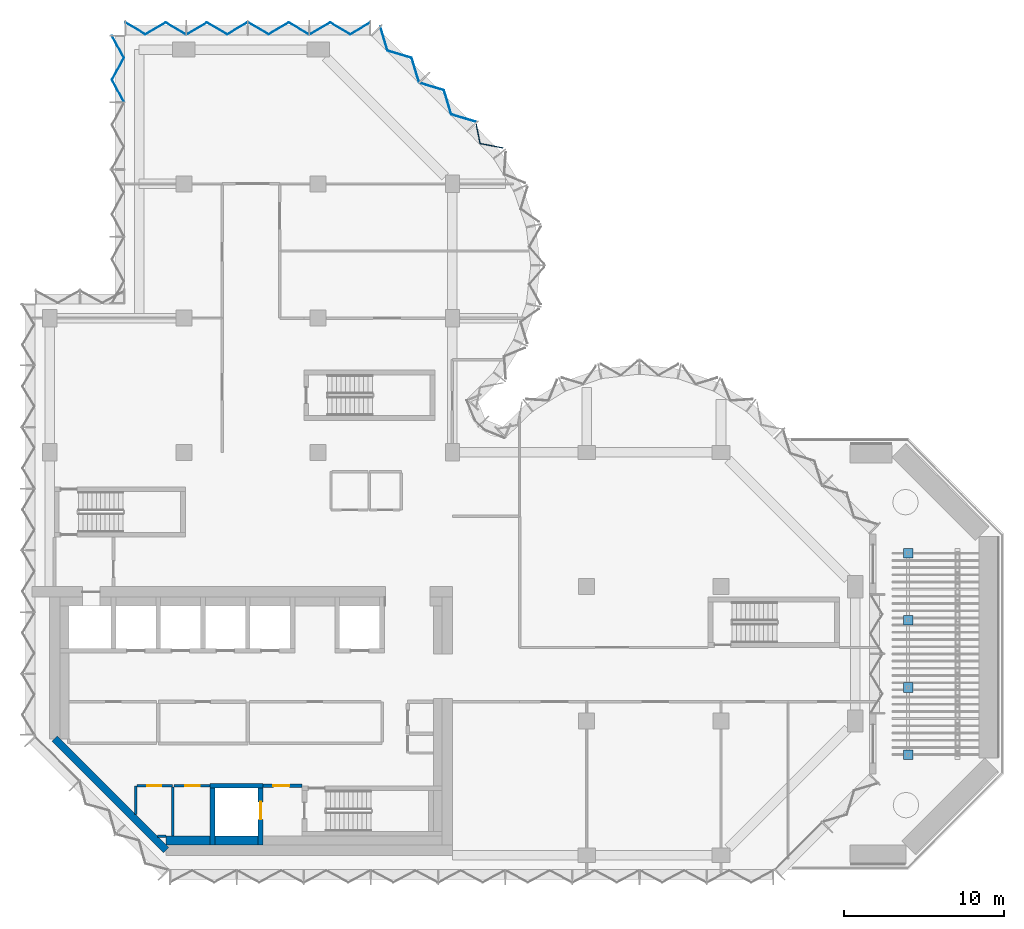
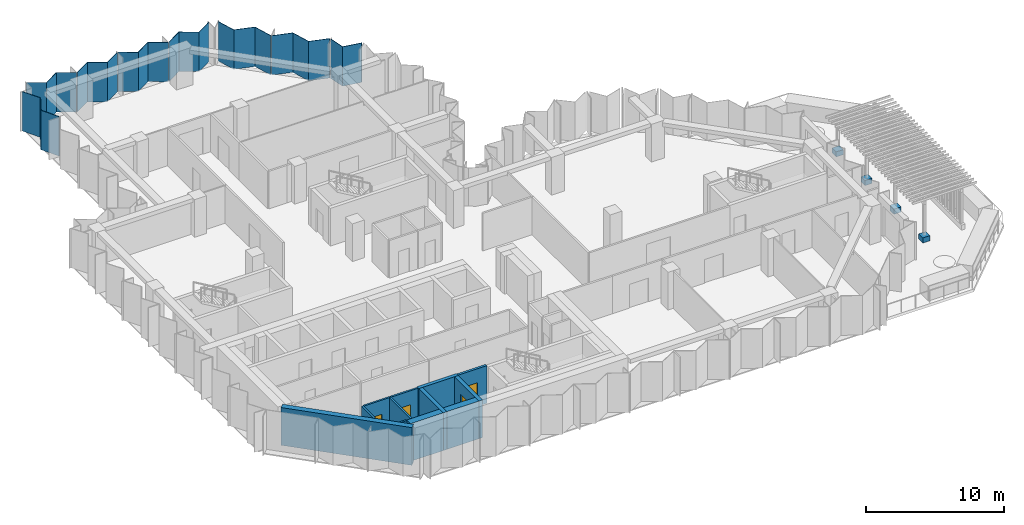
# One storey, part 7 of 14: 12 walls, 8 plates, 4 doors, 4 slabs, 4 openings, 4 elements without a shape of their own.
"""IFC4 building model written with IfcOpenShell, lengths in metres."""

from ifc_helpers import new_model, si_unit, direction, frame, frame_2d, origin, place, context, subcontext, project, spatial, polyline, rectangle, outline, extrude, material, layer, layer_set, type_object, element, fill, aggregate, save


model = new_model("IFC4")

# Units and contexts
model_context = context("Model", 3, precision=1e-05, world=origin(), true_north=direction((0.0, 1.0)))
body_context = subcontext(model_context, "Body", "Model", "MODEL_VIEW")
ifc_project = project(units=[si_unit("LENGTHUNIT", "METRE"), si_unit("AREAUNIT", "SQUARE_METRE"), si_unit("VOLUMEUNIT", "CUBIC_METRE"), si_unit("PLANEANGLEUNIT", "RADIAN"), si_unit("MASSUNIT", "GRAM", prefix="KILO")], contexts=[model_context])

# Site, building, storey
site_placement = place(None, origin())
site = spatial("IfcSite", under=ifc_project, at=site_placement, CompositionType="ELEMENT")
building_placement = place(site_placement, origin())
building = spatial("IfcBuilding", under=site, at=building_placement, Name="Brevane Broadcast Tower", CompositionType="ELEMENT")
storey_placement = place(building_placement, frame((0.0, 0.0, 184.800048828125)))
storey = spatial("IfcBuildingStorey", under=building, at=storey_placement, Name="L46", CompositionType="ELEMENT", Elevation=184.800048828125)

# Curtain wall, plate
ifc_material_1 = material(Name="Aluminium 6063-T6 bronze anodised", Category="aluminium")
curtain_wall_type = type_object("IfcCurtainWallType", Name="CW-1 curtain wall", PredefinedType="NOTDEFINED", material=ifc_material_1)
curtain_wall_1_placement = place(storey_placement, origin())
curtain_wall_1 = element("IfcCurtainWall", 1, at=curtain_wall_1_placement, inside=storey, type_object=curtain_wall_type, Name="CW-1 typical tilted unit L46 north bow", PredefinedType="NOTDEFINED")
ifc_material_2 = material(Name="Laminated glass bronze-tinted", Category="glass")
ifc_layer_1 = layer(ifc_material_2, 0.0400390625)
ifc_layer_set_1 = layer_set([ifc_layer_1], Name="CW tall glass panel 40")
plate_type = type_object("IfcPlateType", Name="CW tall glass panel 40", PredefinedType="CURTAIN_PANEL", material=ifc_layer_set_1)
plate_1_placement = place(storey_placement, frame((0.0, 0.0, -0.150146484375)))
plate_1 = element("IfcPlate", 2, at=plate_1_placement, type_object=plate_type, Name="CW-1 glass panel", PredefinedType="CURTAIN_PANEL", context=body_context, shape_type="SweptSolid", body=[
    extrude(outline(polyline([(28.34375, 44.231201171875), (28.3857421875, 44.263916015625), (26.9423828125, 44.539306640625), (26.690185546875, 45.82470703125), (26.656005859375, 45.79150390625), (26.908203125, 44.5048828125), (28.34375, 44.231201171875)])), origin(), (0.0, 0.0, 1.0), 3.5),
])
aggregate(curtain_wall_1, [plate_1])

# Curtain wall, plates
curtain_wall_2_placement = place(storey_placement, origin())
curtain_wall_2 = element("IfcCurtainWall", 3, at=curtain_wall_2_placement, inside=storey, type_object=curtain_wall_type, Name="CW-1 typical tilted unit L46 north arm north-east chamfer", PredefinedType="NOTDEFINED")
plate_2_placement = place(storey_placement, frame((0.0, 0.0, -0.150146484375)))
plate_2 = element("IfcPlate", 4, at=plate_2_placement, type_object=plate_type, Name="CW-1 glass panel", PredefinedType="CURTAIN_PANEL", context=body_context, shape_type="SweptSolid", body=[
    extrude(outline(polyline([(26.620849609375, 45.870361328125), (26.653076171875, 45.902587890625), (25.14306640625, 46.359619140625), (24.68603515625, 47.869384765625), (23.176025390625, 48.32666015625), (23.14404296875, 48.294677734375), (24.65380859375, 47.83740234375), (25.111083984375, 46.32763671875), (26.620849609375, 45.870361328125)])), origin(), (0.0, 0.0, 1.0), 3.5),
])
plate_3_placement = place(storey_placement, frame((0.0, 0.0, -0.150146484375)))
plate_3 = element("IfcPlate", 5, at=plate_3_placement, type_object=plate_type, Name="CW-1 glass panel", PredefinedType="CURTAIN_PANEL", context=body_context, shape_type="SweptSolid", body=[
    extrude(outline(polyline([(23.094482421875, 48.343994140625), (23.126708984375, 48.376220703125), (22.66943359375, 49.885986328125), (21.15966796875, 50.343017578125), (20.702392578125, 51.85302734375), (20.67041015625, 51.82080078125), (21.127685546875, 50.31103515625), (22.637451171875, 49.85400390625), (23.094482421875, 48.343994140625)])), origin(), (0.0, 0.0, 1.0), 3.5),
])
aggregate(curtain_wall_2, [plate_2, plate_3])

curtain_wall_3_placement = place(storey_placement, origin())
curtain_wall_3 = element("IfcCurtainWall", 6, at=curtain_wall_3_placement, inside=storey, type_object=curtain_wall_type, Name="CW-1 typical tilted unit L46 north end", PredefinedType="NOTDEFINED")
plate_4_placement = place(storey_placement, frame((0.0, 0.0, -0.150146484375)))
plate_4 = element("IfcPlate", 7, at=plate_4_placement, type_object=plate_type, Name="CW-1 glass panel", PredefinedType="CURTAIN_PANEL", context=body_context, shape_type="SweptSolid", body=[
    extrude(outline(polyline([(20.06494140625, 52.0712890625), (20.06494140625, 52.11767578125), (18.804931640625, 51.373291015625), (17.544921875, 52.11767578125), (16.284912109375, 51.373291015625), (16.284912109375, 51.326904296875), (17.544921875, 52.0712890625), (18.804931640625, 51.326904296875), (20.06494140625, 52.0712890625)])), origin(), (0.0, 0.0, 1.0), 3.5),
])
plate_5_placement = place(storey_placement, frame((0.0, 0.0, -0.150146484375)))
plate_5 = element("IfcPlate", 8, at=plate_5_placement, type_object=plate_type, Name="CW-1 glass panel", PredefinedType="CURTAIN_PANEL", context=body_context, shape_type="SweptSolid", body=[
    extrude(outline(polyline([(16.215087890625, 51.326904296875), (16.215087890625, 51.373291015625), (14.955078125, 52.11767578125), (13.695068359375, 51.373291015625), (12.43505859375, 52.11767578125), (12.43505859375, 52.0712890625), (13.695068359375, 51.326904296875), (14.955078125, 52.0712890625), (16.215087890625, 51.326904296875)])), origin(), (0.0, 0.0, 1.0), 3.5),
])
plate_6_placement = place(storey_placement, frame((0.0, 0.0, -0.150146484375)))
plate_6 = element("IfcPlate", 9, at=plate_6_placement, type_object=plate_type, Name="CW-1 glass panel", PredefinedType="CURTAIN_PANEL", context=body_context, shape_type="SweptSolid", body=[
    extrude(outline(polyline([(12.364990234375, 52.0712890625), (12.364990234375, 52.11767578125), (11.10498046875, 51.373291015625), (9.844970703125, 52.11767578125), (8.5849609375, 51.373291015625), (8.5849609375, 51.326904296875), (9.844970703125, 52.0712890625), (11.10498046875, 51.326904296875), (12.364990234375, 52.0712890625)])), origin(), (0.0, 0.0, 1.0), 3.5),
])
plate_7_placement = place(storey_placement, frame((0.0, 0.0, -0.150146484375)))
plate_7 = element("IfcPlate", 10, at=plate_7_placement, type_object=plate_type, Name="CW-1 glass panel", PredefinedType="CURTAIN_PANEL", context=body_context, shape_type="SweptSolid", body=[
    extrude(outline(polyline([(8.514892578125, 51.326904296875), (8.514892578125, 51.373291015625), (7.2548828125, 52.11767578125), (5.9951171875, 51.373291015625), (4.735107421875, 52.11767578125), (4.735107421875, 52.0712890625), (5.9951171875, 51.326904296875), (7.2548828125, 52.0712890625), (8.514892578125, 51.326904296875)])), origin(), (0.0, 0.0, 1.0), 3.5),
])
aggregate(curtain_wall_3, [plate_4, plate_5, plate_6, plate_7])

# Curtain wall, plate
curtain_wall_4_placement = place(storey_placement, origin())
curtain_wall_4 = element("IfcCurtainWall", 11, at=curtain_wall_4_placement, inside=storey, type_object=curtain_wall_type, Name="CW-1 typical tilted unit L46 north wing west face, lower block", PredefinedType="NOTDEFINED")
plate_8_placement = place(storey_placement, frame((0.0, 0.0, -0.150146484375)))
plate_8 = element("IfcPlate", 12, at=plate_8_placement, type_object=plate_type, Name="CW-1 glass panel", PredefinedType="CURTAIN_PANEL", context=body_context, shape_type="SweptSolid", body=[
    extrude(outline(polyline([(3.92822265625, 51.264892578125), (3.8828125, 51.264892578125), (4.627197265625, 49.88818359375), (3.8828125, 48.51171875), (4.627197265625, 47.135009765625), (4.672607421875, 47.135009765625), (3.92822265625, 48.51171875), (4.672607421875, 49.88818359375), (3.92822265625, 51.264892578125)])), origin(), (0.0, 0.0, 1.0), 3.5),
])
aggregate(curtain_wall_4, [plate_8])

# Slabs
ifc_material_3 = material(Name="Concrete C30/37", Category="concrete")
ifc_layer_2 = layer(ifc_material_3, 0.449951171875)
ifc_layer_set_2 = layer_set([ifc_layer_2], Name="Sky garden trellis plinth 450")
slab_type = type_object("IfcSlabType", Name="Sky garden trellis plinth 450", PredefinedType="USERDEFINED", material=ifc_layer_set_2)
slab_1_placement = place(storey_placement, origin())
element("IfcSlab", 13, at=slab_1_placement, inside=storey, type_object=slab_type, Name="Sky garden trellis post plinth L46-1", ObjectType="PLINTH", PredefinedType="USERDEFINED", context=body_context, shape_type="SweptSolid", body=[
    extrude(outline(polyline([(53.39990234375, 6.0), (54.0, 6.0), (54.0, 6.60009765625), (53.39990234375, 6.60009765625), (53.39990234375, 6.0)])), origin(), (0.0, 0.0, 1.0), 0.449951171875),
])
slab_2_placement = place(storey_placement, origin())
element("IfcSlab", 14, at=slab_2_placement, inside=storey, type_object=slab_type, Name="Sky garden trellis post plinth L46-2", ObjectType="PLINTH", PredefinedType="USERDEFINED", context=body_context, shape_type="SweptSolid", body=[
    extrude(outline(polyline([(53.39990234375, 10.199951171875), (54.0, 10.199951171875), (54.0, 10.800048828125), (53.39990234375, 10.800048828125), (53.39990234375, 10.199951171875)])), origin(), (0.0, 0.0, 1.0), 0.449951171875),
])
slab_3_placement = place(storey_placement, origin())
element("IfcSlab", 15, at=slab_3_placement, inside=storey, type_object=slab_type, Name="Sky garden trellis post plinth L46-3", ObjectType="PLINTH", PredefinedType="USERDEFINED", context=body_context, shape_type="SweptSolid", body=[
    extrude(outline(polyline([(53.39990234375, 14.39990234375), (54.0, 14.39990234375), (54.0, 15.0), (53.39990234375, 15.0), (53.39990234375, 14.39990234375)])), origin(), (0.0, 0.0, 1.0), 0.449951171875),
])
slab_4_placement = place(storey_placement, origin())
element("IfcSlab", 16, at=slab_4_placement, inside=storey, type_object=slab_type, Name="Sky garden trellis post plinth L46-4", ObjectType="PLINTH", PredefinedType="USERDEFINED", context=body_context, shape_type="SweptSolid", body=[
    extrude(outline(polyline([(53.39990234375, 18.60009765625), (54.0, 18.60009765625), (54.0, 19.199951171875), (53.39990234375, 19.199951171875), (53.39990234375, 18.60009765625)])), origin(), (0.0, 0.0, 1.0), 0.449951171875),
])

# Walls
ifc_material_4 = material(Name="Concrete C32/40", Category="concrete")
ifc_layer_3 = layer(ifc_material_4, 0.550048828125)
ifc_layer_set_3 = layer_set([ifc_layer_3], Name="Core chase wall 550 mm")
wall_type_1 = type_object("IfcWallType", Name="Core chase wall 550 mm", PredefinedType="PARTITIONING", material=ifc_layer_set_3)
wall_1_placement = place(storey_placement, frame((7.286376953125, 0.925048828125, 0.0), z_axis=(0.0, 0.0, 1.0), x_axis=(1.0, 0.0, 0.0)))
element("IfcWall", 17, at=wall_1_placement, inside=storey, type_object=wall_type_1, Name="L46 chase wall LS-1", PredefinedType="PARTITIONING", context=body_context, shape_type="SweptSolid", body=[
    extrude(rectangle(XDim=2.763671875, YDim=0.550048828125, at=frame_2d((1.3818359375, 0.0))), origin(), (0.0, 0.0, 1.0), 3.349853515625),
])
wall_2_placement = place(storey_placement, frame((10.35009765625, 0.925048828125, 0.0), z_axis=(0.0, 0.0, 1.0), x_axis=(1.0, 0.0, 0.0)))
element("IfcWall", 18, at=wall_2_placement, inside=storey, type_object=wall_type_1, Name="L46 chase wall LS-2-1", PredefinedType="PARTITIONING", context=body_context, shape_type="SweptSolid", body=[
    extrude(rectangle(XDim=2.699951171875, YDim=0.550048828125, at=frame_2d((1.35009765625, 0.0))), origin(), (0.0, 0.0, 1.0), 3.349853515625),
])
ifc_material_5 = material(Name="Gypsum board on steel studs", Category="steel")
ifc_layer_4 = layer(ifc_material_5, 0.14990234375)
ifc_layer_set_4 = layer_set([ifc_layer_4], Name="Core fire partition 150 mm")
wall_type_2 = type_object("IfcWallType", Name="Core fire partition 150 mm", PredefinedType="PARTITIONING", material=ifc_layer_set_4)
wall_3_placement = place(storey_placement, frame((5.39990234375, 2.553466796875, 0.0), z_axis=(0.0, 0.0, 1.0), x_axis=(0.0, 1.0, 0.0)))
element("IfcWall", 19, at=wall_3_placement, inside=storey, type_object=wall_type_2, Name="L46 partition wall P11", PredefinedType="PARTITIONING", context=body_context, shape_type="SweptSolid", body=[
    extrude(rectangle(XDim=1.796630859375, YDim=0.14990234375, at=frame_2d((0.8984375, 0.0))), origin(), (0.0, 0.0, 1.0), 3.349853515625),
])

# Wall, opening, door
wall_4_placement = place(storey_placement, frame((5.47509765625, 4.35009765625, 0.0), z_axis=(0.0, 0.0, 1.0), x_axis=(1.0, 0.0, 0.0)))
wall_4 = element("IfcWall", 20, at=wall_4_placement, inside=storey, type_object=wall_type_2, Name="L46 partition wall P12", PredefinedType="PARTITIONING", context=body_context, shape_type="SweptSolid", body=[
    extrude(rectangle(XDim=2.224853515625, YDim=0.14990234375, at=frame_2d((1.1123046875, 0.0))), origin(), (0.0, 0.0, 1.0), 3.349853515625),
])
opening_1_placement = place(wall_4_placement, frame((0.625, 0.0, 0.0)))
opening_1 = element("IfcOpeningElement", 21, at=opening_1_placement, cuts=wall_4, Name="Opening L46-K14", PredefinedType="OPENING", context=body_context, shape_type="SweptSolid", body=[
    extrude(rectangle(XDim=0.89990234375, YDim=2.10009765625, at=frame_2d((0.449951171875, 1.050048828125))), frame((0.0, 0.0849609375, 0.0), z_axis=(0.0, -1.0, 0.0), x_axis=(1.0, 0.0, 0.0)), (0.0, 0.0, 1.0), 0.169921875),
])
ifc_material_6 = material(Name="Timber", Category="wood")
door_type_1 = type_object("IfcDoorType", Name="Toilet door 900 x 2100", OperationType="SINGLE_SWING_LEFT", PredefinedType="DOOR", material=ifc_material_6)
door_1_placement = place(opening_1_placement, origin())
door_1 = element("IfcDoor", 22, at=door_1_placement, inside=storey, type_object=door_type_1, Name="Door L46-K14", OperationType="SINGLE_SWING_LEFT", OverallHeight=2.10009765625, OverallWidth=0.89990234375, PredefinedType="DOOR", context=body_context, shape_type="SweptSolid", body=[
    extrude(rectangle(XDim=0.89990234375, YDim=2.10009765625, at=frame_2d((0.449951171875, 1.050048828125))), frame((0.0, 0.02490234375, 0.0), z_axis=(0.0, -1.0, 0.0), x_axis=(1.0, 0.0, 0.0)), (0.0, 0.0, 1.0), 0.050048828125),
])
fill(opening_1, door_1)

# Walls
wall_5_placement = place(storey_placement, frame((7.699951171875, 4.27490234375, 0.0), z_axis=(0.0, 0.0, 1.0), x_axis=(0.0, -1.0, 0.0)))
element("IfcWall", 23, at=wall_5_placement, inside=storey, type_object=wall_type_2, Name="L46 partition wall P13", PredefinedType="PARTITIONING", context=body_context, shape_type="SweptSolid", body=[
    extrude(rectangle(XDim=3.06298828125, YDim=0.14990234375, at=frame_2d((1.531494140625, 0.0))), origin(), (0.0, 0.0, 1.0), 3.349853515625),
])
wall_6_placement = place(storey_placement, frame((7.2744140625, 1.199951171875, 0.0), z_axis=(0.0, 0.0, 1.0), x_axis=(-1.0, 0.0, 0.0)))
element("IfcWall", 24, at=wall_6_placement, inside=storey, type_object=wall_type_2, Name="L46 partition wall P14", PredefinedType="PARTITIONING", context=body_context, shape_type="SweptSolid", body=[
    extrude(rectangle(XDim=0.52099609375, YDim=0.14990234375, at=frame_2d((0.260498046875, 0.0))), origin(), (0.0, 0.0, 1.0), 3.349853515625),
])

# Wall, opening, door
wall_7_placement = place(storey_placement, frame((10.0380859375, 4.35009765625, 0.0), z_axis=(0.0, 0.0, 1.0), x_axis=(-1.0, 0.0, 0.0)))
wall_7 = element("IfcWall", 25, at=wall_7_placement, inside=storey, type_object=wall_type_2, Name="L46 partition wall P18", PredefinedType="PARTITIONING", context=body_context, shape_type="SweptSolid", body=[
    extrude(rectangle(XDim=2.26318359375, YDim=0.14990234375, at=frame_2d((1.131591796875, 0.0))), origin(), (0.0, 0.0, 1.0), 3.349853515625),
])
opening_2_placement = place(wall_7_placement, frame((0.637939453125, 0.0, 0.0)))
opening_2 = element("IfcOpeningElement", 26, at=opening_2_placement, cuts=wall_7, Name="Opening L46-K15", PredefinedType="OPENING", context=body_context, shape_type="SweptSolid", body=[
    extrude(rectangle(XDim=0.89990234375, YDim=2.10009765625, at=frame_2d((0.449951171875, 1.050048828125))), frame((0.0, 0.0849609375, 0.0), z_axis=(0.0, -1.0, 0.0), x_axis=(1.0, 0.0, 0.0)), (0.0, 0.0, 1.0), 0.169921875),
])
door_2_placement = place(opening_2_placement, origin())
door_2 = element("IfcDoor", 27, at=door_2_placement, inside=storey, type_object=door_type_1, Name="Door L46-K15", OperationType="SINGLE_SWING_RIGHT", OverallHeight=2.10009765625, OverallWidth=0.89990234375, PredefinedType="DOOR", context=body_context, shape_type="SweptSolid", body=[
    extrude(rectangle(XDim=0.89990234375, YDim=2.10009765625, at=frame_2d((0.449951171875, 1.050048828125))), frame((0.0, 0.02490234375, 0.0), z_axis=(0.0, -1.0, 0.0), x_axis=(1.0, 0.0, 0.0)), (0.0, 0.0, 1.0), 0.050048828125),
])
fill(opening_2, door_2)

ifc_layer_5 = layer(ifc_material_5, 0.199951171875)
ifc_layer_set_5 = layer_set([ifc_layer_5], Name="Core fire partition 200 mm")
wall_type_3 = type_object("IfcWallType", Name="Core fire partition 200 mm", PredefinedType="PARTITIONING", material=ifc_layer_set_5)
wall_8_placement = place(storey_placement, frame((13.362060546875, 4.35009765625, 0.0), z_axis=(0.0, 0.0, 1.0), x_axis=(1.0, 0.0, 0.0)))
wall_8 = element("IfcWall", 28, at=wall_8_placement, inside=storey, type_object=wall_type_3, Name="L46 partition wall P03", PredefinedType="PARTITIONING", context=body_context, shape_type="SweptSolid", body=[
    extrude(rectangle(XDim=2.426025390625, YDim=0.199951171875, at=frame_2d((1.212890625, 0.0))), origin(), (0.0, 0.0, 1.0), 3.349853515625),
])
opening_3_placement = place(wall_8_placement, frame((0.637939453125, 0.0, 0.0)))
opening_3 = element("IfcOpeningElement", 29, at=opening_3_placement, cuts=wall_8, Name="Opening L46-K16", PredefinedType="OPENING", context=body_context, shape_type="SweptSolid", body=[
    extrude(rectangle(XDim=1.0, YDim=2.10009765625, at=frame_2d((0.5, 1.050048828125))), frame((0.0, 0.10986328125, 0.0), z_axis=(0.0, -1.0, 0.0), x_axis=(1.0, 0.0, 0.0)), (0.0, 0.0, 1.0), 0.219970703125),
])
ifc_material_7 = material(Name="Steel", Category="steel")
door_type_2 = type_object("IfcDoorType", Name="Stair door 1000 x 2100", OperationType="SINGLE_SWING_LEFT", PredefinedType="DOOR", material=ifc_material_7)
door_3_placement = place(opening_3_placement, origin())
door_3 = element("IfcDoor", 30, at=door_3_placement, inside=storey, type_object=door_type_2, Name="Door L46-K16", OperationType="SINGLE_SWING_LEFT", OverallHeight=2.10009765625, OverallWidth=1.0, PredefinedType="DOOR", context=body_context, shape_type="SweptSolid", body=[
    extrude(rectangle(XDim=1.0, YDim=2.10009765625, at=frame_2d((0.5, 1.050048828125))), frame((0.0, 0.02490234375, 0.0), z_axis=(0.0, -1.0, 0.0), x_axis=(1.0, 0.0, 0.0)), (0.0, 0.0, 1.0), 0.050048828125),
])
fill(opening_3, door_3)

# Wall
ifc_material_8 = material(Name="Concrete C60/75", Category="concrete")
ifc_layer_6 = layer(ifc_material_8, 0.300048828125)
ifc_layer_set_6 = layer_set([ifc_layer_6], Name="Core wall 300 mm C60/75")
wall_type_4 = type_object("IfcWallType", Name="Core wall 300 mm C60/75", PredefinedType="SHEAR", material=ifc_layer_set_6)
wall_9_placement = place(storey_placement, frame((10.199951171875, 0.64990234375, 0.0), z_axis=(0.0, 0.0, 1.0), x_axis=(0.0, 1.0, 0.0)))
element("IfcWall", 31, at=wall_9_placement, inside=storey, type_object=wall_type_4, Name="L46 shaft wall FF2-W", PredefinedType="SHEAR", context=body_context, shape_type="SweptSolid", body=[
    extrude(rectangle(XDim=3.550048828125, YDim=0.300048828125, at=frame_2d((1.77490234375, 0.0))), origin(), (0.0, 0.0, 1.0), 3.349853515625),
])

# Wall, opening, door
wall_10_placement = place(storey_placement, frame((13.199951171875, 0.64990234375, 0.0), z_axis=(0.0, 0.0, 1.0), x_axis=(0.0, 1.0, 0.0)))
wall_10 = element("IfcWall", 32, at=wall_10_placement, inside=storey, type_object=wall_type_4, Name="L46 shaft wall FF2-E", PredefinedType="SHEAR", context=body_context, shape_type="SweptSolid", body=[
    extrude(rectangle(XDim=3.550048828125, YDim=0.300048828125, at=frame_2d((1.77490234375, 0.0))), origin(), (0.0, 0.0, 1.0), 3.349853515625),
])
opening_4_placement = place(wall_10_placement, frame((1.60009765625, 0.0, 0.0)))
opening_4 = element("IfcOpeningElement", 33, at=opening_4_placement, cuts=wall_10, Name="Opening LD", PredefinedType="OPENING", context=body_context, shape_type="SweptSolid", body=[
    extrude(rectangle(XDim=1.10009765625, YDim=2.300048828125, at=frame_2d((0.550048828125, 1.14990234375))), frame((0.0, 0.159912109375, 0.0), z_axis=(0.0, -1.0, 0.0), x_axis=(1.0, 0.0, 0.0)), (0.0, 0.0, 1.0), 0.320068359375),
])
ifc_material_9 = material(Name="Stainless steel", Category="steel")
door_type_3 = type_object("IfcDoorType", Name="Lift landing door", OperationType="SLIDING_TO_LEFT", PredefinedType="DOOR", material=ifc_material_9)
door_4_placement = place(opening_4_placement, origin())
door_4 = element("IfcDoor", 34, at=door_4_placement, inside=storey, type_object=door_type_3, Name="Landing door FF2 L46", OperationType="SLIDING_TO_LEFT", OverallHeight=2.300048828125, OverallWidth=1.10009765625, PredefinedType="DOOR", context=body_context, shape_type="SweptSolid", body=[
    extrude(rectangle(XDim=1.10009765625, YDim=2.300048828125, at=frame_2d((0.550048828125, 1.14990234375))), frame((0.0, 0.02490234375, 0.0), z_axis=(0.0, -1.0, 0.0), x_axis=(1.0, 0.0, 0.0)), (0.0, 0.0, 1.0), 0.050048828125),
])
fill(opening_4, door_4)

# Walls
wall_11_placement = place(storey_placement, frame((10.050048828125, 4.35009765625, 0.0), z_axis=(0.0, 0.0, 1.0), x_axis=(1.0, 0.0, 0.0)))
element("IfcWall", 35, at=wall_11_placement, inside=storey, type_object=wall_type_4, Name="L46 shaft wall FF2-N", PredefinedType="SHEAR", context=body_context, shape_type="SweptSolid", body=[
    extrude(rectangle(XDim=3.300048828125, YDim=0.300048828125, at=frame_2d((1.64990234375, 0.0))), origin(), (0.0, 0.0, 1.0), 3.349853515625),
])
ifc_layer_7 = layer(ifc_material_8, 0.449951171875)
ifc_layer_set_7 = layer_set([ifc_layer_7], Name="Core wall 450 mm C60/75")
wall_type_5 = type_object("IfcWallType", Name="Core wall 450 mm C60/75", PredefinedType="SHEAR", material=ifc_layer_set_7)
wall_12_placement = place(storey_placement, frame((0.324951171875, 7.293212890625, 0.0), z_axis=(0.0, 0.0, 1.0), x_axis=(0.707106781187, -0.707106781187, 0.0)))
element("IfcWall", 36, at=wall_12_placement, inside=storey, type_object=wall_type_5, Name="L46 outer wall WC", PredefinedType="SHEAR", context=body_context, shape_type="SweptSolid", body=[
    extrude(rectangle(XDim=9.8544921875, YDim=0.449951171875, at=frame_2d((4.92724609375, 0.0))), origin(), (0.0, 0.0, 1.0), 3.349853515625),
])

save(model, "model.ifc")
